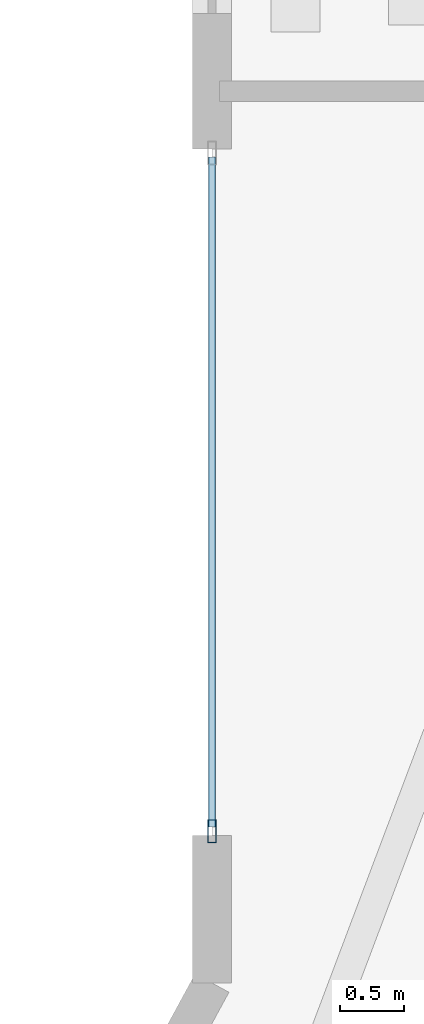
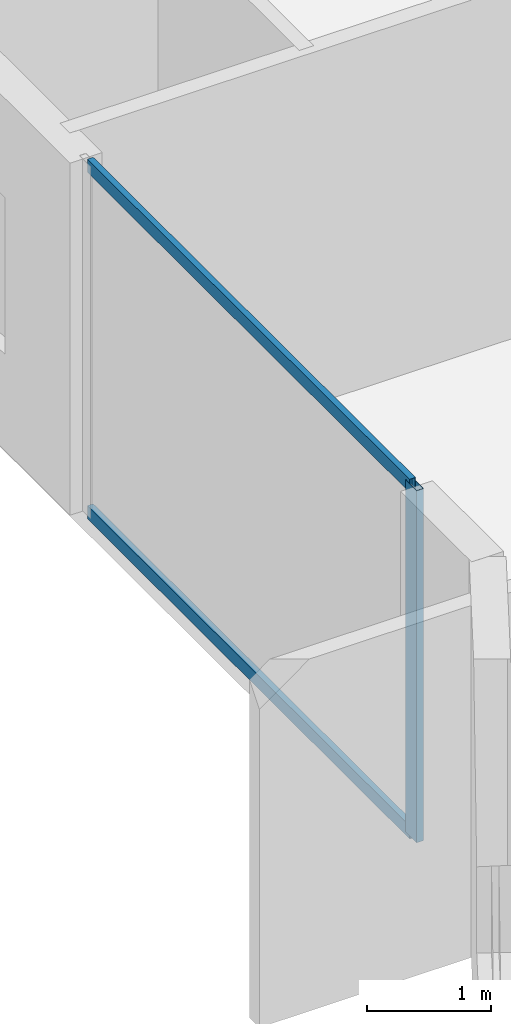
# One storey, part 6 of 26: 3 members, 1 element without a shape of its own.
"""IFC4 building model written with IfcOpenShell, lengths in metres."""

from ifc_helpers import new_model, si_unit, direction, frame, origin, origin_2d, place, context, subcontext, project, spatial, hollow_rectangle, extrude, material, layer, layer_set, material_profile, profile_set, type_object, element, aggregate, save


model = new_model("IFC4")

# Units and contexts
model_context = context("Model", 3, precision=1e-05, world=origin(), true_north=direction((0.0, 1.0)))
body_context = subcontext(model_context, "Body", "Model", "MODEL_VIEW")
ifc_project = project(units=[si_unit("LENGTHUNIT", "METRE"), si_unit("AREAUNIT", "SQUARE_METRE"), si_unit("VOLUMEUNIT", "CUBIC_METRE"), si_unit("PLANEANGLEUNIT", "RADIAN"), si_unit("MASSUNIT", "GRAM", prefix="KILO")], contexts=[model_context])

# Site, building, storey
site_placement = place(None, origin())
site = spatial("IfcSite", under=ifc_project, at=site_placement, CompositionType="ELEMENT")
building_placement = place(site_placement, origin())
building = spatial("IfcBuilding", under=site, at=building_placement, Name="Zuhayl Quay Hotel", CompositionType="ELEMENT")
storey_placement = place(building_placement, frame((0.0, 0.0, 247.050048828125)))
storey = spatial("IfcBuildingStorey", under=building, at=storey_placement, Name="L62", CompositionType="ELEMENT", Elevation=247.050048828125)

# Curtain wall, members
ifc_material_1 = material(Name="Anodised Aluminium 6063-T6", Category="aluminium")
ifc_layer = layer(ifc_material_1, 0.169921875, Name="Anodised Aluminium 6063-T6", Category="aluminium")
ifc_layer_set = layer_set([ifc_layer], Name="Anodised Aluminium 6063-T6")
curtain_wall_type = type_object("IfcCurtainWallType", Name="CW_SYS_Z4", PredefinedType="USERDEFINED", material=ifc_layer_set)
curtain_wall_placement = place(storey_placement, origin())
curtain_wall = element("IfcCurtainWall", 1, at=curtain_wall_placement, inside=storey, type_object=curtain_wall_type, Name="L62 Curtain Wall ENV_L62_E05_CW1", ObjectType="UNITISED CURTAIN WALL", PredefinedType="USERDEFINED")
ifc_material_2 = material(Name="Black-anodised aluminium 6063-T6", Category="aluminium")
ifc_material_profile_1 = material_profile(ifc_material_2, hollow_rectangle(XDim=0.06494140625, YDim=0.179931640625, WallThickness=0.00341796875, at=origin_2d()), Name="ALU180X65")
ifc_profile_set_1 = profile_set([ifc_material_profile_1], Name="Black-anodised aluminium 6063-T6")
member_type_1 = type_object("IfcMemberType", Name="MB_CW_MUL_180", PredefinedType="MULLION", material=ifc_profile_set_1)
member_1_placement = place(storey_placement, frame((-20.199951171875, 25.282470703125, 0.0), z_axis=(0.0, 0.0, 1.0), x_axis=(-1.0, 0.0, 0.0)))
member_1 = element("IfcMember", 2, at=member_1_placement, type_object=member_type_1, Name="CW-Z4 mullion 1", PredefinedType="MULLION", context=body_context, shape_type="SweptSolid", body=[
    extrude(hollow_rectangle(XDim=0.06494140625, YDim=0.179931640625, WallThickness=0.00341796875, at=origin_2d()), origin(), (0.0, 0.0, 1.0), 3.47998046875),
])
ifc_material_profile_2 = material_profile(ifc_material_2, hollow_rectangle(XDim=0.054931640625, YDim=0.1298828125, WallThickness=0.0029296875, at=origin_2d()), Name="ALU130X55")
ifc_profile_set_2 = profile_set([ifc_material_profile_2], Name="Black-anodised aluminium 6063-T6")
member_type_2 = type_object("IfcMemberType", Name="MB_CW_TRN_130", PredefinedType="USERDEFINED", material=ifc_profile_set_2)
member_2_placement = place(storey_placement, frame((-20.199951171875, 25.31494140625, 0.02734375), z_axis=(0.0, 1.0, 0.0), x_axis=(-1.0, 0.0, 0.0)))
member_2 = element("IfcMember", 3, at=member_2_placement, type_object=member_type_2, Name="CW-Z4 transom 1.1", ObjectType="TRANSOM", PredefinedType="USERDEFINED", context=body_context, shape_type="SweptSolid", body=[
    extrude(hollow_rectangle(XDim=0.054931640625, YDim=0.1298828125, WallThickness=0.0029296875, at=origin_2d()), origin(), (0.0, 0.0, 1.0), 5.219970703125),
])
member_3_placement = place(storey_placement, frame((-20.199951171875, 25.31494140625, 3.452392578125), z_axis=(0.0, 1.0, 0.0), x_axis=(-1.0, 0.0, 0.0)))
member_3 = element("IfcMember", 4, at=member_3_placement, type_object=member_type_2, Name="CW-Z4 transom 1.2", ObjectType="TRANSOM", PredefinedType="USERDEFINED", context=body_context, shape_type="SweptSolid", body=[
    extrude(hollow_rectangle(XDim=0.054931640625, YDim=0.1298828125, WallThickness=0.0029296875, at=origin_2d()), origin(), (0.0, 0.0, 1.0), 5.219970703125),
])
aggregate(curtain_wall, [member_1, member_2, member_3])

save(model, "model.ifc")
